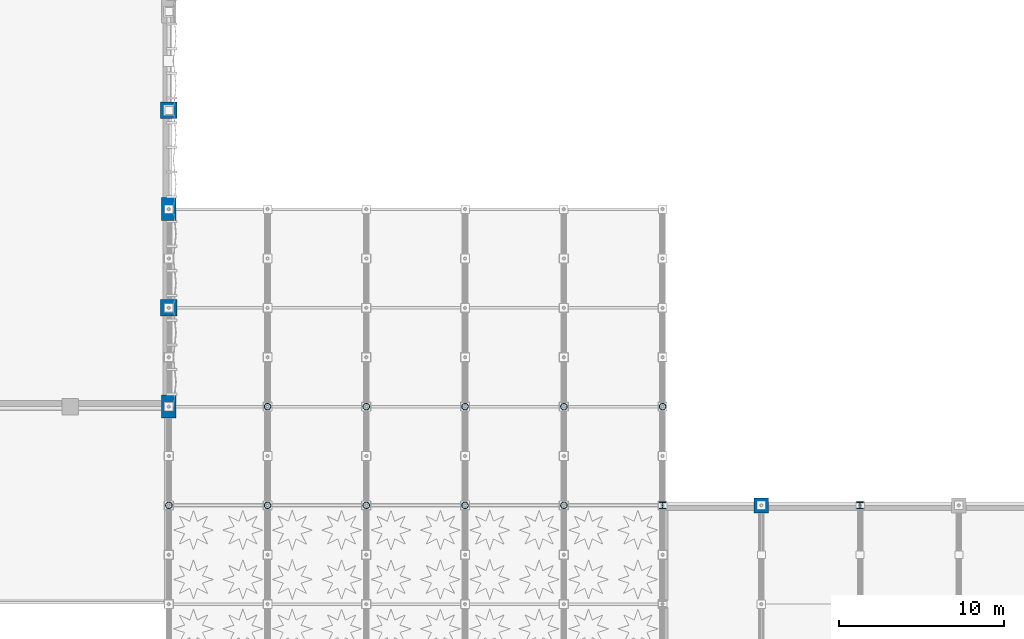
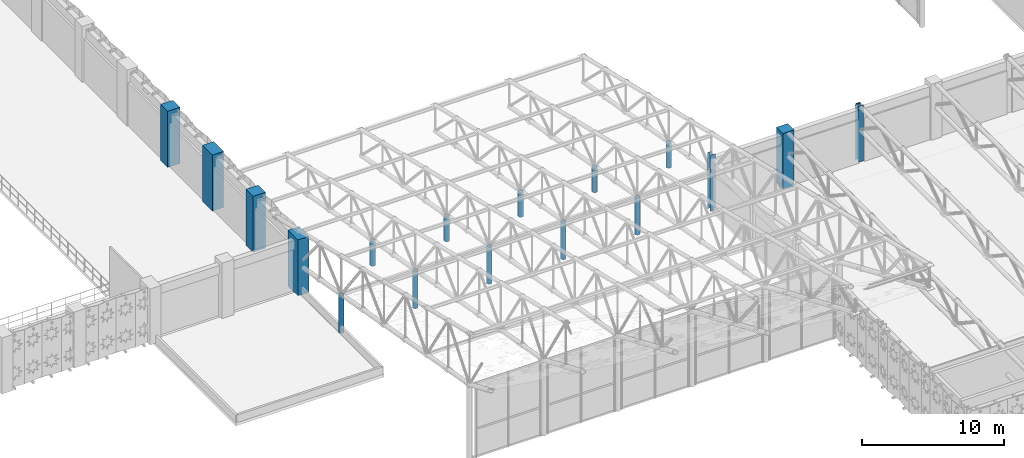
# One storey, part 4 of 123: 17 columns.
"""IFC4 building model written with IfcOpenShell, lengths in metres."""

from ifc_helpers import new_model, si_unit, direction, frame, origin, origin_2d, place, context, subcontext, project, spatial, rectangle, hollow_circle, i_section, extrude, material, material_profile, profile_set, type_object, element, save


model = new_model("IFC4")

# Units and contexts
model_context = context("Model", 3, precision=1e-05, world=origin(), true_north=direction((0.0, 1.0)))
body_context = subcontext(model_context, "Body", "Model", "MODEL_VIEW")
ifc_project = project(units=[si_unit("LENGTHUNIT", "METRE"), si_unit("AREAUNIT", "SQUARE_METRE"), si_unit("VOLUMEUNIT", "CUBIC_METRE"), si_unit("PLANEANGLEUNIT", "RADIAN"), si_unit("MASSUNIT", "GRAM", prefix="KILO"), si_unit("THERMODYNAMICTEMPERATUREUNIT", "KELVIN"), si_unit("POWERUNIT", "WATT")], contexts=[model_context])

# Site, building, storey
site_placement = place(None, origin())
site = spatial("IfcSite", under=ifc_project, at=site_placement, CompositionType="ELEMENT")
building_placement = place(site_placement, origin())
building = spatial("IfcBuilding", under=site, at=building_placement, Name="Phaisarnlok Congress Hotel", CompositionType="ELEMENT")
storey_placement = place(building_placement, frame((0.0, 0.0, 15.0)))
storey = spatial("IfcBuildingStorey", under=building, at=storey_placement, Name="L03", CompositionType="ELEMENT", Elevation=15.0)

# Columns
ifc_material_1 = material(Name="Concrete C50/60", Category="concrete")
ifc_material_profile_1 = material_profile(ifc_material_1, rectangle(XDim=1.0, YDim=1.0, at=origin_2d()), Name="RC 1000x1000")
ifc_profile_set_1 = profile_set([ifc_material_profile_1], Name="Concrete C50/60")
column_type_1 = type_object("IfcColumnType", Name="COL-RC-1000", PredefinedType="COLUMN", material=ifc_profile_set_1)
for number, where, z_axis, x_axis, name in (
    (1, (66.0, 48.0, 0.0), (0.0, 0.0, 1.0), (1.0, 0.0, 0.0), "Column C-09 (L03)"),
    (2, (66.0, 60.0, 0.0), (0.0, 0.0, 1.0), (1.0, 0.0, 0.0), "Column C-09 (L03)"),
):
    element("IfcColumn", number, at=place(storey_placement, frame(where, z_axis=z_axis, x_axis=x_axis)), inside=storey, type_object=column_type_1, Name=name, PredefinedType="COLUMN", context=body_context, shape_type="SweptSolid", body=[
        extrude(rectangle(XDim=1.0, YDim=1.0, at=origin_2d()), origin(), (0.0, 0.0, 1.0), 4.800048828125),
    ])
ifc_material_profile_2 = material_profile(ifc_material_1, rectangle(XDim=0.89990234375, YDim=0.89990234375, at=origin_2d()), Name="RC 900x900")
ifc_profile_set_2 = profile_set([ifc_material_profile_2], Name="Concrete C50/60")
column_type_2 = type_object("IfcColumnType", Name="COL-RC-900", PredefinedType="COLUMN", material=ifc_profile_set_2)
column_1_placement = place(storey_placement, frame((102.0, 36.0, 0.0), z_axis=(0.0, 0.0, 1.0), x_axis=(1.0, 0.0, 0.0)))
element("IfcColumn", 3, at=column_1_placement, inside=storey, type_object=column_type_2, Name="Column C-08 (L03)", PredefinedType="COLUMN", context=body_context, shape_type="SweptSolid", body=[
    extrude(rectangle(XDim=0.89990234375, YDim=0.89990234375, at=origin_2d()), origin(), (0.0, 0.0, 1.0), 4.800048828125),
])
ifc_material_profile_3 = material_profile(ifc_material_1, rectangle(XDim=0.89990234375, YDim=1.39990234375, at=origin_2d()), Name="RC 900x1400")
ifc_profile_set_3 = profile_set([ifc_material_profile_3], Name="Concrete C50/60")
column_type_3 = type_object("IfcColumnType", Name="COL-RC-900x1400", PredefinedType="COLUMN", material=ifc_profile_set_3)
for number, where, z_axis, x_axis, name in (
    (4, (66.0, 42.0, 0.0), (0.0, 0.0, 1.0), (1.0, 0.0, 0.0), "Column C-12 (L03)"),
    (5, (66.0, 54.0, 0.0), (0.0, 0.0, 1.0), (1.0, 0.0, 0.0), "Column C-12 (L03)"),
):
    element("IfcColumn", number, at=place(storey_placement, frame(where, z_axis=z_axis, x_axis=x_axis)), inside=storey, type_object=column_type_3, Name=name, PredefinedType="COLUMN", context=body_context, shape_type="SweptSolid", body=[
        extrude(rectangle(XDim=0.89990234375, YDim=1.39990234375, at=origin_2d()), origin(), (0.0, 0.0, 1.0), 4.800048828125),
    ])
ifc_material_2 = material(Name="Steel S355", Category="steel")
ifc_material_profile_4 = material_profile(ifc_material_2, hollow_circle(Radius=0.203125, WallThickness=0.02001953125, at=origin_2d()), Name="CHS 406.4x20")
ifc_profile_set_4 = profile_set([ifc_material_profile_4], Name="Steel S355")
column_type_4 = type_object("IfcColumnType", Name="COL-STL-CHS406", PredefinedType="COLUMN", material=ifc_profile_set_4)
column_2_placement = place(storey_placement, frame((66.0, 36.0, 0.0), z_axis=(0.0, 0.0, 1.0), x_axis=(1.0, 0.0, 0.0)))
element("IfcColumn", 6, at=column_2_placement, inside=storey, type_object=column_type_4, Name="South wing-truss sloped bearing column extension SC-02", PredefinedType="COLUMN", context=body_context, shape_type="SweptSolid", body=[
    extrude(hollow_circle(Radius=0.203125, WallThickness=0.02001953125, at=origin_2d()), origin(), (0.0, 0.0, 1.0), 3.199951171875),
])
column_3_placement = place(storey_placement, frame((72.0, 42.0, 0.0), z_axis=(0.0, 0.0, 1.0), x_axis=(1.0, 0.0, 0.0)))
element("IfcColumn", 7, at=column_3_placement, inside=storey, type_object=column_type_4, Name="South wing-truss sloped bearing column extension SC-02", PredefinedType="COLUMN", context=body_context, shape_type="SweptSolid", body=[
    extrude(hollow_circle(Radius=0.203125, WallThickness=0.02001953125, at=origin_2d()), origin(), (0.0, 0.0, 1.0), 2.13330078125),
])
column_4_placement = place(storey_placement, frame((72.0, 36.0, 0.0), z_axis=(0.0, 0.0, 1.0), x_axis=(1.0, 0.0, 0.0)))
element("IfcColumn", 8, at=column_4_placement, inside=storey, type_object=column_type_4, Name="South wing-truss sloped bearing column extension SC-02", PredefinedType="COLUMN", context=body_context, shape_type="SweptSolid", body=[
    extrude(hollow_circle(Radius=0.203125, WallThickness=0.02001953125, at=origin_2d()), origin(), (0.0, 0.0, 1.0), 3.199951171875),
])
column_5_placement = place(storey_placement, frame((78.0, 42.0, 0.0), z_axis=(0.0, 0.0, 1.0), x_axis=(1.0, 0.0, 0.0)))
element("IfcColumn", 9, at=column_5_placement, inside=storey, type_object=column_type_4, Name="South wing-truss sloped bearing column extension SC-02", PredefinedType="COLUMN", context=body_context, shape_type="SweptSolid", body=[
    extrude(hollow_circle(Radius=0.203125, WallThickness=0.02001953125, at=origin_2d()), origin(), (0.0, 0.0, 1.0), 2.13330078125),
])
column_6_placement = place(storey_placement, frame((78.0, 36.0, 0.0), z_axis=(0.0, 0.0, 1.0), x_axis=(1.0, 0.0, 0.0)))
element("IfcColumn", 10, at=column_6_placement, inside=storey, type_object=column_type_4, Name="South wing-truss sloped bearing column extension SC-02", PredefinedType="COLUMN", context=body_context, shape_type="SweptSolid", body=[
    extrude(hollow_circle(Radius=0.203125, WallThickness=0.02001953125, at=origin_2d()), origin(), (0.0, 0.0, 1.0), 3.199951171875),
])
column_7_placement = place(storey_placement, frame((84.0, 42.0, 0.0), z_axis=(0.0, 0.0, 1.0), x_axis=(1.0, 0.0, 0.0)))
element("IfcColumn", 11, at=column_7_placement, inside=storey, type_object=column_type_4, Name="South wing-truss sloped bearing column extension SC-02", PredefinedType="COLUMN", context=body_context, shape_type="SweptSolid", body=[
    extrude(hollow_circle(Radius=0.203125, WallThickness=0.02001953125, at=origin_2d()), origin(), (0.0, 0.0, 1.0), 2.13330078125),
])
column_8_placement = place(storey_placement, frame((84.0, 36.0, 0.0), z_axis=(0.0, 0.0, 1.0), x_axis=(1.0, 0.0, 0.0)))
element("IfcColumn", 12, at=column_8_placement, inside=storey, type_object=column_type_4, Name="South wing-truss sloped bearing column extension SC-02", PredefinedType="COLUMN", context=body_context, shape_type="SweptSolid", body=[
    extrude(hollow_circle(Radius=0.203125, WallThickness=0.02001953125, at=origin_2d()), origin(), (0.0, 0.0, 1.0), 3.199951171875),
])
column_9_placement = place(storey_placement, frame((90.0, 42.0, 0.0), z_axis=(0.0, 0.0, 1.0), x_axis=(1.0, 0.0, 0.0)))
element("IfcColumn", 13, at=column_9_placement, inside=storey, type_object=column_type_4, Name="South wing-truss sloped bearing column extension SC-02", PredefinedType="COLUMN", context=body_context, shape_type="SweptSolid", body=[
    extrude(hollow_circle(Radius=0.203125, WallThickness=0.02001953125, at=origin_2d()), origin(), (0.0, 0.0, 1.0), 2.13330078125),
])
column_10_placement = place(storey_placement, frame((90.0, 36.0, 0.0), z_axis=(0.0, 0.0, 1.0), x_axis=(1.0, 0.0, 0.0)))
element("IfcColumn", 14, at=column_10_placement, inside=storey, type_object=column_type_4, Name="South wing-truss sloped bearing column extension SC-02", PredefinedType="COLUMN", context=body_context, shape_type="SweptSolid", body=[
    extrude(hollow_circle(Radius=0.203125, WallThickness=0.02001953125, at=origin_2d()), origin(), (0.0, 0.0, 1.0), 3.199951171875),
])
column_11_placement = place(storey_placement, frame((96.0, 42.0, 0.0), z_axis=(0.0, 0.0, 1.0), x_axis=(1.0, 0.0, 0.0)))
element("IfcColumn", 15, at=column_11_placement, inside=storey, type_object=column_type_4, Name="South wing-truss sloped bearing column extension SC-02", PredefinedType="COLUMN", context=body_context, shape_type="SweptSolid", body=[
    extrude(hollow_circle(Radius=0.203125, WallThickness=0.02001953125, at=origin_2d()), origin(), (0.0, 0.0, 1.0), 2.13330078125),
])
ifc_material_profile_5 = material_profile(ifc_material_2, i_section(OverallWidth=0.406005859375, OverallDepth=0.416015625, WebThickness=0.021484375, FlangeThickness=0.034912109375, FilletRadius=0.014892578125, at=origin_2d()), Name="HD 400x382")
ifc_profile_set_5 = profile_set([ifc_material_profile_5], Name="Steel S355")
column_type_5 = type_object("IfcColumnType", Name="COL-STL-HD382", PredefinedType="COLUMN", material=ifc_profile_set_5)
for number, where, z_axis, x_axis, name in (
    (16, (96.0, 36.0, 0.0), (0.0, 0.0, 1.0), (1.0, 0.0, 0.0), "Column SC-05 (L03)"),
    (17, (108.0, 36.0, 0.0), (0.0, 0.0, 1.0), (1.0, 0.0, 0.0), "Column SC-05 (L03)"),
):
    element("IfcColumn", number, at=place(storey_placement, frame(where, z_axis=z_axis, x_axis=x_axis)), inside=storey, type_object=column_type_5, Name=name, PredefinedType="COLUMN", context=body_context, shape_type="SweptSolid", body=[
        extrude(i_section(OverallWidth=0.406005859375, OverallDepth=0.416015625, WebThickness=0.021484375, FlangeThickness=0.034912109375, FilletRadius=0.014892578125, at=origin_2d()), origin(), (0.0, 0.0, 1.0), 4.800048828125),
    ])

save(model, "model.ifc")
